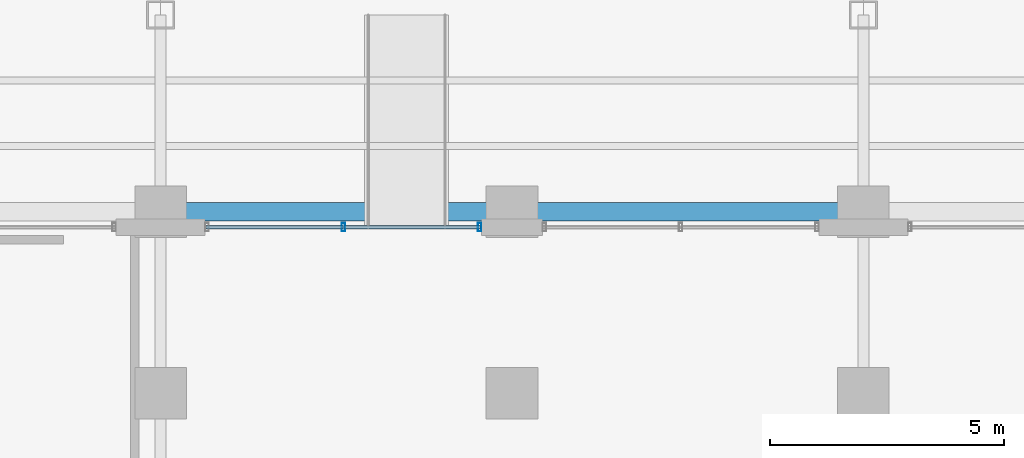
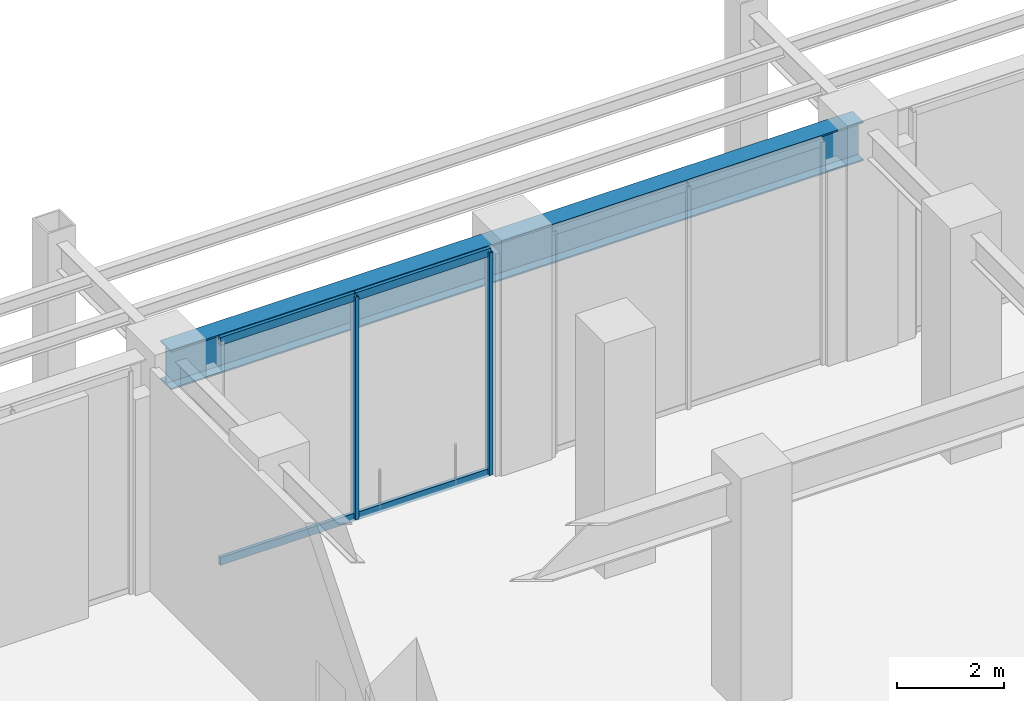
# One storey, part 6 of 23: 6 members, 1 beam, 1 element without a shape of its own.
"""IFC4 building model written with IfcOpenShell, lengths in metres."""

import ifcopenshell
import ifcopenshell.guid

model = None  # the IFC model being written
_history = None  # IfcOwnerHistory: only IFC2X3 demands one
_inside = {}  # id of a spatial element -> (the spatial element, [elements in it])
_under = {}  # id of a project, library or spatial element -> (it, [spatial elements below it])
_declared = {}  # id of a project -> (the project, [libraries it declares])
_typed = {}  # id of a type object -> (the type object, [elements of that type])
_made_of = {}  # id of a material, layer set ... -> (it, [elements and type objects made of it])


def new_model(schema):
    """Start an empty IFC model of exactly this schema.

    Asked for "IFC4X3", IfcOpenShell would pick the latest addendum, in which some entities
    have other attributes; the version numbers below select the first issue.
    IFC2X3 requires an IfcOwnerHistory on every rooted entity: one is made here for all.
    """
    global model, _history
    if schema == "IFC4X3":
        model = ifcopenshell.file(schema_version=(4, 3, 0, 0))
    else:
        model = ifcopenshell.file(schema=schema)
    _inside.clear()
    _under.clear()
    _declared.clear()
    _typed.clear()
    _made_of.clear()
    _history = None
    if model.schema == "IFC2X3":
        org = make("IfcOrganization", Name="unknown")
        user = make(
            "IfcPersonAndOrganization",
            ThePerson=make("IfcPerson", FamilyName="unknown"),
            TheOrganization=org,
        )
        app = make(
            "IfcApplication",
            ApplicationDeveloper=org,
            Version="unknown",
            ApplicationFullName="unknown",
            ApplicationIdentifier="unknown",
        )
        _history = make(
            "IfcOwnerHistory",
            OwningUser=user,
            OwningApplication=app,
            ChangeAction="ADDED",
            CreationDate=0,
        )
    return model


def make(cls, **values):
    """One entity of the class cls with the attributes given. An attribute that is None is left unset."""
    return model.create_entity(
        cls, **{name: value for name, value in values.items() if value is not None}
    )


def rooted(cls, **values):
    """An entity with a GlobalId (a new one), such as an element, a storey or a relation."""
    return make(cls, GlobalId=ifcopenshell.guid.new(), OwnerHistory=_history, **values)


def si_unit(unit_type, name, prefix=None):
    """IfcSIUnit, for example si_unit("LENGTHUNIT", "METRE", prefix="MILLI")."""
    return make("IfcSIUnit", UnitType=unit_type, Prefix=prefix, Name=name)


def assignment(units):
    """IfcUnitAssignment: the units of a project."""
    return None if units is None else make("IfcUnitAssignment", Units=units)


def point(xyz):
    """IfcCartesianPoint."""
    return None if xyz is None else make("IfcCartesianPoint", Coordinates=xyz)


def direction(xyz):
    """IfcDirection."""
    return None if xyz is None else make("IfcDirection", DirectionRatios=xyz)


def frame(location, z_axis=None, x_axis=None):
    """IfcAxis2Placement3D, a coordinate frame: its origin and axes. An axis left out is left unset."""
    return make(
        "IfcAxis2Placement3D",
        Location=point(location),
        Axis=direction(z_axis),
        RefDirection=direction(x_axis),
    )


def frame_2d(location, x_axis=None):
    """IfcAxis2Placement2D, a coordinate frame in the plane: its origin and x axis."""
    return make(
        "IfcAxis2Placement2D", Location=point(location), RefDirection=direction(x_axis)
    )


def origin():
    """The frame at (0, 0, 0) with its axes left unset."""
    return frame((0.0, 0.0, 0.0))


def origin_2d():
    """The frame at (0, 0) in the plane with its x axis left unset."""
    return frame_2d((0.0, 0.0))


def place(relative_to, where):
    """IfcLocalPlacement: puts the frame where relative to a parent placement (None: the world)."""
    return make(
        "IfcLocalPlacement", PlacementRelTo=relative_to, RelativePlacement=where
    )


def context(
    kind, dimensions, precision=None, world=None, true_north=None, identifier=None
):
    """IfcGeometricRepresentationContext, for example the 3D "Model" context."""
    return make(
        "IfcGeometricRepresentationContext",
        ContextIdentifier=identifier,
        ContextType=kind,
        CoordinateSpaceDimension=dimensions,
        Precision=precision,
        WorldCoordinateSystem=world,
        TrueNorth=true_north,
    )


def subcontext(parent, identifier, kind, view, scale=None):
    """IfcGeometricRepresentationSubContext, for example "Body" below "Model"."""
    return make(
        "IfcGeometricRepresentationSubContext",
        ContextIdentifier=identifier,
        ContextType=kind,
        ParentContext=parent,
        TargetScale=scale,
        TargetView=view,
    )


def project(units=None, contexts=None):
    """IfcProject with its units and contexts."""
    return rooted(
        "IfcProject",
        Name="project",
        RepresentationContexts=contexts,
        UnitsInContext=assignment(units),
    )


def spatial(cls, under=None, at=None, **own):
    """A site, building, storey or space (cls), placed at a placement, below another one or the project."""
    s = rooted(cls, ObjectPlacement=at, **own)
    if under is not None:
        _under.setdefault(under.id(), (under, []))[1].append(s)
    return s


def profile(cls, at=None, kind="AREA", **sizes):
    """A parametric profile (cls). Its sizes go by their IFC names, for example OverallWidth=200.0."""
    return make(cls, ProfileType=kind, Position=at, **sizes)


def hollow_rectangle(**sizes):
    """IfcRectangleHollowProfileDef."""
    return profile("IfcRectangleHollowProfileDef", **sizes)


def i_section(**sizes):
    """IfcIShapeProfileDef."""
    return profile("IfcIShapeProfileDef", **sizes)


def extrude(swept, where, along, depth):
    """IfcExtrudedAreaSolid: the profile swept, set in the frame where, extruded along a direction by depth."""
    return make(
        "IfcExtrudedAreaSolid",
        SweptArea=swept,
        Position=where,
        ExtrudedDirection=direction(along),
        Depth=depth,
    )


def shape(context_of_items, identifier, shape_type, items):
    """IfcShapeRepresentation: the items that make up one representation, for example the "Body"."""
    return make(
        "IfcShapeRepresentation",
        ContextOfItems=context_of_items,
        RepresentationIdentifier=identifier,
        RepresentationType=shape_type,
        Items=items,
    )


def material(Name=None, Category=None):
    """IfcMaterial."""
    return make("IfcMaterial", Name=Name, Category=Category)


def material_profile(
    of_material, cross_section, Name=None, Category=None, Priority=None
):
    """IfcMaterialProfile: a cross section and its material."""
    return make(
        "IfcMaterialProfile",
        Name=Name,
        Material=of_material,
        Profile=cross_section,
        Priority=Priority,
        Category=Category,
    )


def profile_set(profiles, Name=None, composite=None):
    """IfcMaterialProfileSet."""
    return make(
        "IfcMaterialProfileSet",
        Name=Name,
        MaterialProfiles=profiles,
        CompositeProfile=composite,
    )


def made_of(thing, what):
    """Note that an element or type object is made of a material, layer set ...; save() writes the relation."""
    if what is not None:
        _made_of.setdefault(what.id(), (what, []))[1].append(thing)
    return thing


def type_object(cls, material=None, **own):
    """A type object (cls), such as IfcWallType, which elements share."""
    return made_of(rooted(cls, **own), material)


def element(
    cls,
    number,
    at=None,
    inside=None,
    cuts=None,
    type_object=None,
    material=None,
    context=None,
    identifier="Body",
    shape_type=None,
    held_by="IfcProductDefinitionShape",
    body=None,
    shapes=None,
    **own,
):
    """One element of the class cls, such as IfcWall. Its Tag is "e" and its number.

    at: its placement. inside: the storey or other place that contains it. cuts: it is an
    opening in that element (IfcRelVoidsElement). A single representation is given by context,
    identifier, shape_type and body (its items); several are given by shapes. held_by: the class
    of the entity that holds the representations. save() writes the other relations.
    """
    e = rooted(cls, Tag="e%d" % number, ObjectPlacement=at, **own)
    if body is not None:
        shapes = [shape(context, identifier, shape_type, body)]
    if shapes is not None:
        e.Representation = make(held_by, Representations=shapes)
    if inside is not None:
        _inside.setdefault(inside.id(), (inside, []))[1].append(e)
    if cuts is not None:
        rooted(
            "IfcRelVoidsElement", RelatingBuildingElement=cuts, RelatedOpeningElement=e
        )
    if type_object is not None:
        _typed.setdefault(type_object.id(), (type_object, []))[1].append(e)
    return made_of(e, material)


def aggregate(whole, parts):
    """IfcRelAggregates: a whole, such as a stair, and the parts it consists of."""
    return rooted("IfcRelAggregates", RelatingObject=whole, RelatedObjects=parts)


def save(model, path):
    """Write the relations noted so far, then the file.

    IfcRelAggregates (storeys below a building ...), IfcRelContainedInSpatialStructure (elements
    in a storey), IfcRelDefinesByType, IfcRelAssociatesMaterial and IfcRelDeclares: one each for
    every whole, place, type object, material and project.
    """
    for whole, parts in _under.values():
        aggregate(whole, parts)
    for where, things in _inside.values():
        rooted(
            "IfcRelContainedInSpatialStructure",
            RelatedElements=things,
            RelatingStructure=where,
        )
    for kind, things in _typed.values():
        rooted("IfcRelDefinesByType", RelatedObjects=things, RelatingType=kind)
    for what, things in _made_of.values():
        rooted("IfcRelAssociatesMaterial", RelatedObjects=things, RelatingMaterial=what)
    for by, libraries in _declared.values():
        rooted("IfcRelDeclares", RelatingContext=by, RelatedDefinitions=libraries)
    model.write(path)


model = new_model("IFC4")

# Units and contexts
model_context = context("Model", 3, precision=1e-05, world=origin(), true_north=direction((0.0, 1.0)))
body_context = subcontext(model_context, "Body", "Model", "MODEL_VIEW")
ifc_project = project(units=[si_unit("LENGTHUNIT", "METRE"), si_unit("AREAUNIT", "SQUARE_METRE"), si_unit("VOLUMEUNIT", "CUBIC_METRE"), si_unit("PLANEANGLEUNIT", "RADIAN"), si_unit("MASSUNIT", "GRAM", prefix="KILO")], contexts=[model_context])

# Site, building, storey
site_placement = place(None, origin())
site = spatial("IfcSite", under=ifc_project, at=site_placement, CompositionType="ELEMENT")
building_placement = place(site_placement, origin())
building = spatial("IfcBuilding", under=site, at=building_placement, Name="Ventersveld Concourse Tower", CompositionType="ELEMENT")
storey_placement = place(building_placement, origin())
storey = spatial("IfcBuildingStorey", under=building, at=storey_placement, Name="L00", CompositionType="ELEMENT", Elevation=0.0)

# Curtain wall, members
ifc_material_1 = material(Name="Anodised aluminium EN AW-6063-T6", Category="aluminium")
curtain_wall_type = type_object("IfcCurtainWallType", Name="CW-CONC-1", PredefinedType="NOTDEFINED", material=ifc_material_1)
curtain_wall_placement = place(storey_placement, origin())
curtain_wall = element("IfcCurtainWall", 1, at=curtain_wall_placement, inside=storey, type_object=curtain_wall_type, Name="L00 Station Concourse North Storefront 2A", PredefinedType="NOTDEFINED")
ifc_material_profile_1 = material_profile(ifc_material_1, hollow_rectangle(XDim=0.074951171875, YDim=0.179931640625, WallThickness=0.00390625, at=origin_2d()), Name="ALU 180x75x4")
ifc_profile_set_1 = profile_set([ifc_material_profile_1], Name="Anodised aluminium EN AW-6063-T6")
member_type_1 = type_object("IfcMemberType", Name="CWM-180x75", PredefinedType="MULLION", material=ifc_profile_set_1)
member_1_placement = place(storey_placement, frame((17.64990234375, 43.669921875, 0.0), z_axis=(0.0, 0.0, 1.0), x_axis=(1.0, 0.0, 0.0)))
member_1 = element("IfcMember", 2, at=member_1_placement, type_object=member_type_1, Name="CW-L00-N2A Mullion 02", PredefinedType="MULLION", context=body_context, shape_type="SweptSolid", body=[
    extrude(hollow_rectangle(XDim=0.074951171875, YDim=0.179931640625, WallThickness=0.00390625, at=origin_2d()), origin(), (0.0, 0.0, 1.0), 5.10009765625),
])
member_2_placement = place(storey_placement, frame((20.56005859375, 43.669921875, 0.0), z_axis=(0.0, 0.0, 1.0), x_axis=(1.0, 0.0, 0.0)))
member_2 = element("IfcMember", 3, at=member_2_placement, type_object=member_type_1, Name="CW-L00-N2A Mullion 03", PredefinedType="MULLION", context=body_context, shape_type="SweptSolid", body=[
    extrude(hollow_rectangle(XDim=0.074951171875, YDim=0.179931640625, WallThickness=0.00390625, at=origin_2d()), origin(), (0.0, 0.0, 1.0), 5.10009765625),
])
ifc_material_profile_2 = material_profile(ifc_material_1, hollow_rectangle(XDim=0.074951171875, YDim=0.179931640625, WallThickness=0.00390625, at=origin_2d()), Name="ALU 180x75x4")
ifc_profile_set_2 = profile_set([ifc_material_profile_2], Name="Anodised aluminium EN AW-6063-T6")
member_type_2 = type_object("IfcMemberType", Name="CWT-180x75", PredefinedType="USERDEFINED", material=ifc_profile_set_2)
member_3_placement = place(storey_placement, frame((14.719970703125, 43.669921875, 0.030029296875), z_axis=(1.0, 0.0, 0.0), x_axis=(0.0, 1.0, 0.0)))
member_3 = element("IfcMember", 4, at=member_3_placement, type_object=member_type_2, Name="CW-L00-N2A Transom 1-01", ObjectType="TRANSOM", PredefinedType="USERDEFINED", context=body_context, shape_type="SweptSolid", body=[
    extrude(hollow_rectangle(XDim=0.074951171875, YDim=0.179931640625, WallThickness=0.00390625, at=origin_2d()), origin(), (0.0, 0.0, 1.0), 2.919921875),
])
member_4_placement = place(storey_placement, frame((17.659912109375, 43.669921875, 0.030029296875), z_axis=(1.0, 0.0, 0.0), x_axis=(0.0, 1.0, 0.0)))
member_4 = element("IfcMember", 5, at=member_4_placement, type_object=member_type_2, Name="CW-L00-N2A Transom 1-02", ObjectType="TRANSOM", PredefinedType="USERDEFINED", context=body_context, shape_type="SweptSolid", body=[
    extrude(hollow_rectangle(XDim=0.074951171875, YDim=0.179931640625, WallThickness=0.00390625, at=origin_2d()), origin(), (0.0, 0.0, 1.0), 2.920166015625),
])
member_5_placement = place(storey_placement, frame((14.719970703125, 43.669921875, 5.070068359375), z_axis=(1.0, 0.0, 0.0), x_axis=(0.0, 1.0, 0.0)))
member_5 = element("IfcMember", 6, at=member_5_placement, type_object=member_type_2, Name="CW-L00-N2A Transom 2-01", ObjectType="TRANSOM", PredefinedType="USERDEFINED", context=body_context, shape_type="SweptSolid", body=[
    extrude(hollow_rectangle(XDim=0.074951171875, YDim=0.179931640625, WallThickness=0.00390625, at=origin_2d()), origin(), (0.0, 0.0, 1.0), 2.919921875),
])
member_6_placement = place(storey_placement, frame((17.659912109375, 43.669921875, 5.070068359375), z_axis=(1.0, 0.0, 0.0), x_axis=(0.0, 1.0, 0.0)))
member_6 = element("IfcMember", 7, at=member_6_placement, type_object=member_type_2, Name="CW-L00-N2A Transom 2-02", ObjectType="TRANSOM", PredefinedType="USERDEFINED", context=body_context, shape_type="SweptSolid", body=[
    extrude(hollow_rectangle(XDim=0.074951171875, YDim=0.179931640625, WallThickness=0.00390625, at=origin_2d()), origin(), (0.0, 0.0, 1.0), 2.920166015625),
])
aggregate(curtain_wall, [member_1, member_2, member_3, member_4, member_5, member_6])

# Beam
ifc_material_2 = material(Name="Structural steel S355J2", Category="steel")
ifc_material_profile_3 = material_profile(ifc_material_2, i_section(OverallWidth=0.39990234375, OverallDepth=0.89990234375, WebThickness=0.02197265625, FlangeThickness=0.035888671875, at=origin_2d()), Name="PG 900x400x36")
ifc_profile_set_3 = profile_set([ifc_material_profile_3], Name="Structural steel S355J2")
beam_type = type_object("IfcBeamType", Name="GRD-PG900", PredefinedType="USERDEFINED", material=ifc_profile_set_3)
beam_placement = place(storey_placement, frame((13.75, 44.0, 4.64990234375), z_axis=(1.0, 0.0, 0.0), x_axis=(0.0, 1.0, 0.0)))
element("IfcBeam", 8, at=beam_placement, inside=storey, type_object=beam_type, Name="L00 Podium Primary Girder Y=44.0m", ObjectType="GIRDER", PredefinedType="USERDEFINED", context=body_context, shape_type="SweptSolid", body=[
    extrude(i_section(OverallWidth=0.39990234375, OverallDepth=0.89990234375, WebThickness=0.02197265625, FlangeThickness=0.035888671875, at=origin_2d()), origin(), (0.0, 0.0, 1.0), 15.0),
])

save(model, "model.ifc")
